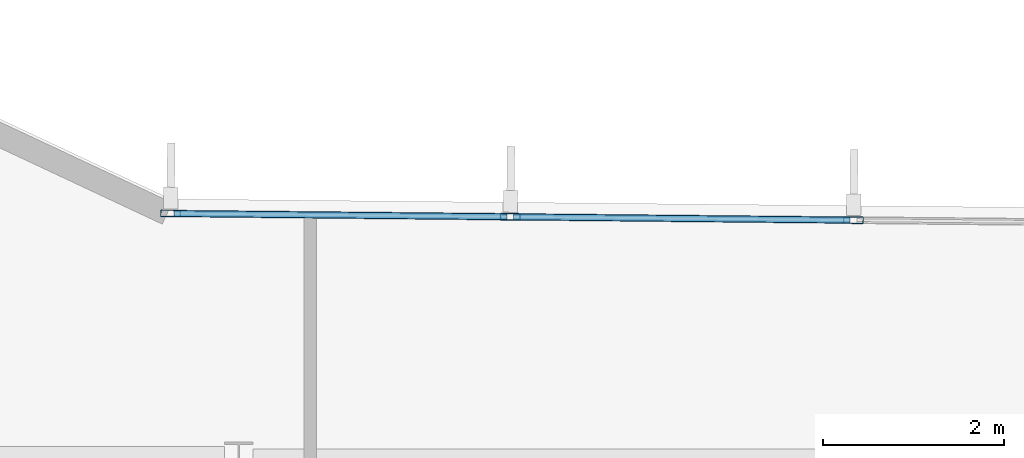
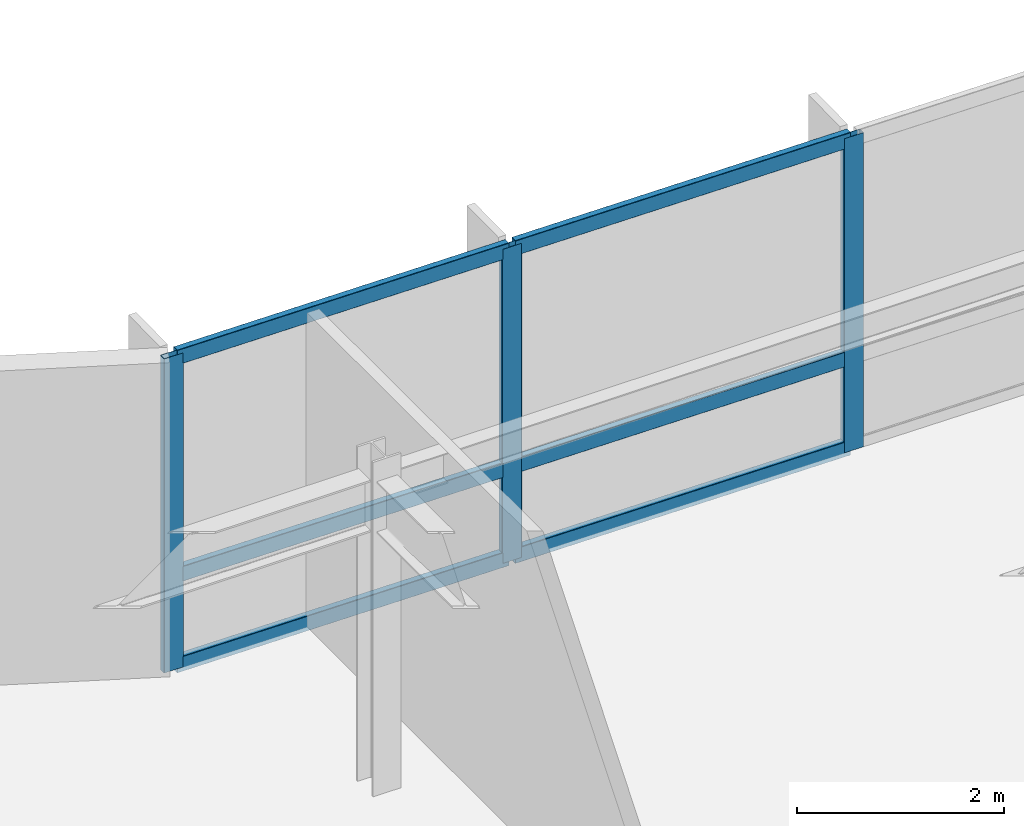
# One storey, part 4 of 18: 9 members, 1 element without a shape of its own.
"""IFC4 building model written with IfcOpenShell, lengths in metres."""

from ifc_helpers import new_model, si_unit, direction, frame, origin, origin_2d, place, context, subcontext, project, spatial, hollow_rectangle, extrude, material, layer, layer_set, material_profile, profile_set, type_object, element, aggregate, save


model = new_model("IFC4")

# Units and contexts
model_context = context("Model", 3, precision=1e-05, world=origin(), true_north=direction((0.0, 1.0)))
body_context = subcontext(model_context, "Body", "Model", "MODEL_VIEW")
ifc_project = project(units=[si_unit("LENGTHUNIT", "METRE"), si_unit("AREAUNIT", "SQUARE_METRE"), si_unit("VOLUMEUNIT", "CUBIC_METRE"), si_unit("PLANEANGLEUNIT", "RADIAN"), si_unit("MASSUNIT", "GRAM", prefix="KILO")], contexts=[model_context])

# Site, building, storey
site_placement = place(None, origin())
site = spatial("IfcSite", under=ifc_project, at=site_placement, CompositionType="ELEMENT")
building_placement = place(site_placement, origin())
building = spatial("IfcBuilding", under=site, at=building_placement, Name="Varnakote Quay Hospital", CompositionType="ELEMENT")
storey_placement = place(building_placement, frame((0.0, 0.0, 69.89990234375)))
storey = spatial("IfcBuildingStorey", under=building, at=storey_placement, Name="L17", CompositionType="ELEMENT", Elevation=69.89990234375)

# Curtain wall, members
ifc_material_1 = material(Name="Anodised aluminium 6063-T6 Bronze", Category="aluminium")
ifc_layer = layer(ifc_material_1, 0.18994140625)
ifc_layer_set = layer_set([ifc_layer], Name="Anodised aluminium 6063-T6 Bronze")
curtain_wall_type = type_object("IfcCurtainWallType", Name="CW-SYS-2", PredefinedType="NOTDEFINED", material=ifc_layer_set)
curtain_wall_placement = place(storey_placement, origin())
curtain_wall = element("IfcCurtainWall", 1, at=curtain_wall_placement, inside=storey, type_object=curtain_wall_type, Name="L17 Unitised Bronze Curtain Wall 2", PredefinedType="NOTDEFINED")
ifc_material_2 = material(Name="Anodised aluminium 6063-T6 Bronze", Category="aluminium")
ifc_material_profile_1 = material_profile(ifc_material_2, hollow_rectangle(XDim=0.074951171875, YDim=0.219970703125, WallThickness=0.00439453125, InnerFilletRadius=0.00439453125, OuterFilletRadius=0.009033203125, at=origin_2d()), Name="CW-MULL-220x75")
ifc_profile_set_1 = profile_set([ifc_material_profile_1], Name="Anodised aluminium 6063-T6 Bronze")
member_type_1 = type_object("IfcMemberType", Name="CW-MULL-220x75", PredefinedType="MULLION", material=ifc_profile_set_1)
member_1_placement = place(storey_placement, frame((31.99853515625, 31.418212890625, 0.0), z_axis=(0.0, 0.0, 1.0), x_axis=(-0.009774266312, -0.999952230718, 0.0)))
member_1 = element("IfcMember", 2, at=member_1_placement, type_object=member_type_1, Name="-2-L17-2 mullion 3", PredefinedType="MULLION", context=body_context, shape_type="SweptSolid", body=[
    extrude(hollow_rectangle(XDim=0.074951171875, YDim=0.219970703125, WallThickness=0.00439453125, InnerFilletRadius=0.00439453125, OuterFilletRadius=0.009033203125, at=origin_2d()), origin(), (0.0, 0.0, 1.0), 3.710205078125),
])
member_2_placement = place(storey_placement, frame((28.203125, 31.455078125, 0.0), z_axis=(0.0, 0.0, 1.0), x_axis=(-0.009774266312, -0.999952230718, 0.0)))
member_2 = element("IfcMember", 3, at=member_2_placement, type_object=member_type_1, Name="-2-L17-2 mullion 4", PredefinedType="MULLION", context=body_context, shape_type="SweptSolid", body=[
    extrude(hollow_rectangle(XDim=0.074951171875, YDim=0.219970703125, WallThickness=0.00439453125, InnerFilletRadius=0.00439453125, OuterFilletRadius=0.009033203125, at=origin_2d()), origin(), (0.0, 0.0, 1.0), 3.710205078125),
])
member_3_placement = place(storey_placement, frame((24.445068359375, 31.491943359375, 0.0), z_axis=(0.0, 0.0, 1.0), x_axis=(-0.009774266312, -0.999952230718, 0.0)))
member_3 = element("IfcMember", 4, at=member_3_placement, type_object=member_type_1, Name="-2-L17-2 mullion 5", PredefinedType="MULLION", context=body_context, shape_type="SweptSolid", body=[
    extrude(hollow_rectangle(XDim=0.074951171875, YDim=0.219970703125, WallThickness=0.00439453125, InnerFilletRadius=0.00439453125, OuterFilletRadius=0.009033203125, at=origin_2d()), origin(), (0.0, 0.0, 1.0), 3.710205078125),
])
ifc_material_3 = material(Name="Anodised aluminium 6063-T6 Bronze", Category="aluminium")
ifc_material_profile_2 = material_profile(ifc_material_3, hollow_rectangle(XDim=0.074951171875, YDim=0.179931640625, WallThickness=0.004150390625, InnerFilletRadius=0.004150390625, OuterFilletRadius=0.00830078125, at=origin_2d()), Name="CW-TRAN-180x75")
ifc_profile_set_2 = profile_set([ifc_material_profile_2], Name="Anodised aluminium 6063-T6 Bronze")
member_type_2 = type_object("IfcMemberType", Name="CW-TRAN-180x75", PredefinedType="USERDEFINED", material=ifc_profile_set_2)
member_4_placement = place(storey_placement, frame((31.961181640625, 31.41845703125, 0.03759765625), z_axis=(-0.999952209511, 0.009776435644, 0.0), x_axis=(-0.009776435644, -0.999952209511, 0.0)))
member_4 = element("IfcMember", 5, at=member_4_placement, type_object=member_type_2, Name="-2-L17-2 transom 3.1", ObjectType="TRANSOM", PredefinedType="USERDEFINED", context=body_context, shape_type="SweptSolid", body=[
    extrude(hollow_rectangle(XDim=0.074951171875, YDim=0.179931640625, WallThickness=0.004150390625, InnerFilletRadius=0.004150390625, OuterFilletRadius=0.00830078125, at=origin_2d()), origin(), (0.0, 0.0, 1.0), 3.720947265625),
])
member_5_placement = place(storey_placement, frame((31.961181640625, 31.41845703125, 1.10009765625), z_axis=(-0.999952209511, 0.009776435644, 0.0), x_axis=(-0.009776435644, -0.999952209511, 0.0)))
member_5 = element("IfcMember", 6, at=member_5_placement, type_object=member_type_2, Name="-2-L17-2 transom 3.2", ObjectType="TRANSOM", PredefinedType="USERDEFINED", context=body_context, shape_type="SweptSolid", body=[
    extrude(hollow_rectangle(XDim=0.074951171875, YDim=0.179931640625, WallThickness=0.004150390625, InnerFilletRadius=0.004150390625, OuterFilletRadius=0.00830078125, at=origin_2d()), origin(), (0.0, 0.0, 1.0), 3.720947265625),
])
member_6_placement = place(storey_placement, frame((31.961181640625, 31.41845703125, 3.672607421875), z_axis=(-0.999952209511, 0.009776435644, 0.0), x_axis=(-0.009776435644, -0.999952209511, 0.0)))
member_6 = element("IfcMember", 7, at=member_6_placement, type_object=member_type_2, Name="-2-L17-2 transom 3.3", ObjectType="TRANSOM", PredefinedType="USERDEFINED", context=body_context, shape_type="SweptSolid", body=[
    extrude(hollow_rectangle(XDim=0.074951171875, YDim=0.179931640625, WallThickness=0.004150390625, InnerFilletRadius=0.004150390625, OuterFilletRadius=0.00830078125, at=origin_2d()), origin(), (0.0, 0.0, 1.0), 3.720947265625),
])
member_7_placement = place(storey_placement, frame((28.16552734375, 31.45556640625, 0.03759765625), z_axis=(-0.999952523017, 0.00974431693, 0.0), x_axis=(-0.00974431693, -0.999952523017, 0.0)))
member_7 = element("IfcMember", 8, at=member_7_placement, type_object=member_type_2, Name="-2-L17-2 transom 4.1", ObjectType="TRANSOM", PredefinedType="USERDEFINED", context=body_context, shape_type="SweptSolid", body=[
    extrude(hollow_rectangle(XDim=0.074951171875, YDim=0.179931640625, WallThickness=0.004150390625, InnerFilletRadius=0.004150390625, OuterFilletRadius=0.00830078125, at=origin_2d()), origin(), (0.0, 0.0, 1.0), 3.68310546875),
])
member_8_placement = place(storey_placement, frame((28.16552734375, 31.45556640625, 1.10009765625), z_axis=(-0.999952523017, 0.00974431693, 0.0), x_axis=(-0.00974431693, -0.999952523017, 0.0)))
member_8 = element("IfcMember", 9, at=member_8_placement, type_object=member_type_2, Name="-2-L17-2 transom 4.2", ObjectType="TRANSOM", PredefinedType="USERDEFINED", context=body_context, shape_type="SweptSolid", body=[
    extrude(hollow_rectangle(XDim=0.074951171875, YDim=0.179931640625, WallThickness=0.004150390625, InnerFilletRadius=0.004150390625, OuterFilletRadius=0.00830078125, at=origin_2d()), origin(), (0.0, 0.0, 1.0), 3.68310546875),
])
member_9_placement = place(storey_placement, frame((28.16552734375, 31.45556640625, 3.672607421875), z_axis=(-0.999952523017, 0.00974431693, 0.0), x_axis=(-0.00974431693, -0.999952523017, 0.0)))
member_9 = element("IfcMember", 10, at=member_9_placement, type_object=member_type_2, Name="-2-L17-2 transom 4.3", ObjectType="TRANSOM", PredefinedType="USERDEFINED", context=body_context, shape_type="SweptSolid", body=[
    extrude(hollow_rectangle(XDim=0.074951171875, YDim=0.179931640625, WallThickness=0.004150390625, InnerFilletRadius=0.004150390625, OuterFilletRadius=0.00830078125, at=origin_2d()), origin(), (0.0, 0.0, 1.0), 3.68310546875),
])
aggregate(curtain_wall, [member_1, member_2, member_3, member_4, member_5, member_6, member_7, member_8, member_9])

save(model, "model.ifc")
